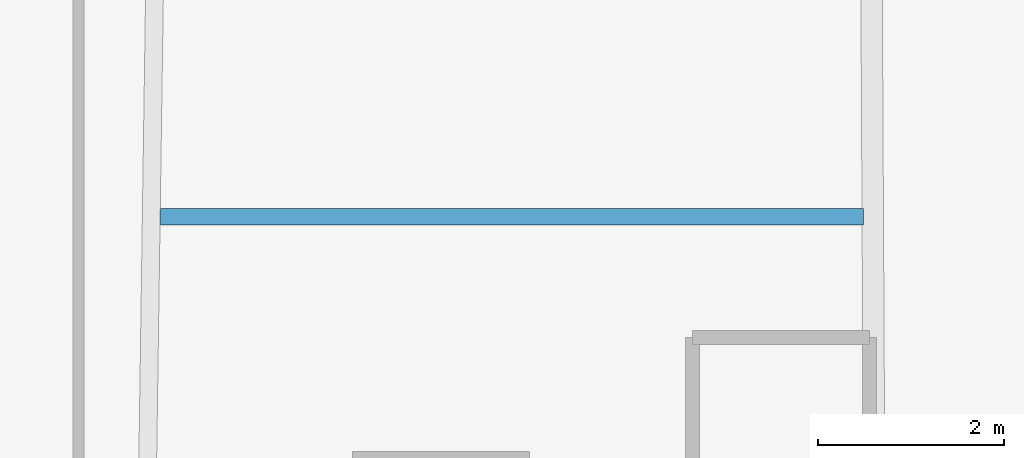
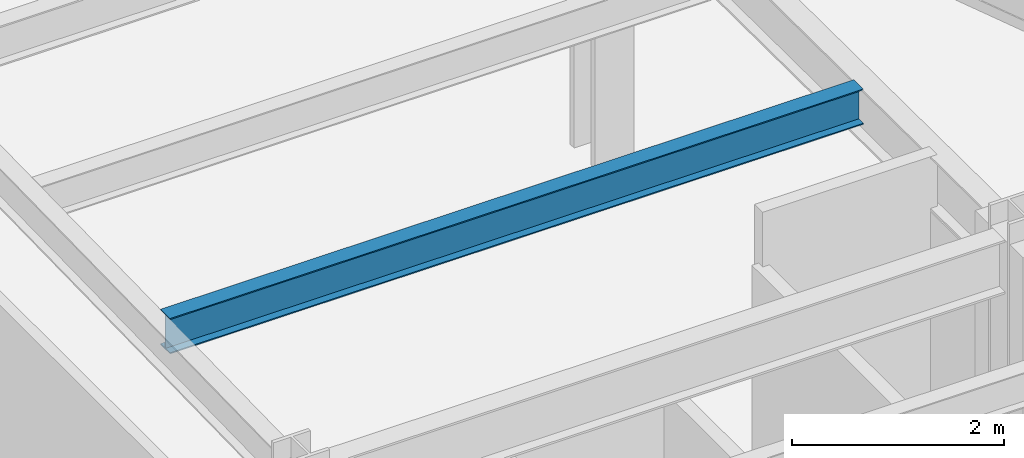
# One storey, part 13 of 30: 1 beam.
"""IFC4 building model written with IfcOpenShell, lengths in metres."""

import ifcopenshell
import ifcopenshell.guid

model = None  # the IFC model being written
_history = None  # IfcOwnerHistory: only IFC2X3 demands one
_inside = {}  # id of a spatial element -> (the spatial element, [elements in it])
_under = {}  # id of a project, library or spatial element -> (it, [spatial elements below it])
_declared = {}  # id of a project -> (the project, [libraries it declares])
_typed = {}  # id of a type object -> (the type object, [elements of that type])
_made_of = {}  # id of a material, layer set ... -> (it, [elements and type objects made of it])


def new_model(schema):
    """Start an empty IFC model of exactly this schema.

    Asked for "IFC4X3", IfcOpenShell would pick the latest addendum, in which some entities
    have other attributes; the version numbers below select the first issue.
    IFC2X3 requires an IfcOwnerHistory on every rooted entity: one is made here for all.
    """
    global model, _history
    if schema == "IFC4X3":
        model = ifcopenshell.file(schema_version=(4, 3, 0, 0))
    else:
        model = ifcopenshell.file(schema=schema)
    _inside.clear()
    _under.clear()
    _declared.clear()
    _typed.clear()
    _made_of.clear()
    _history = None
    if model.schema == "IFC2X3":
        org = make("IfcOrganization", Name="unknown")
        user = make(
            "IfcPersonAndOrganization",
            ThePerson=make("IfcPerson", FamilyName="unknown"),
            TheOrganization=org,
        )
        app = make(
            "IfcApplication",
            ApplicationDeveloper=org,
            Version="unknown",
            ApplicationFullName="unknown",
            ApplicationIdentifier="unknown",
        )
        _history = make(
            "IfcOwnerHistory",
            OwningUser=user,
            OwningApplication=app,
            ChangeAction="ADDED",
            CreationDate=0,
        )
    return model


def make(cls, **values):
    """One entity of the class cls with the attributes given. An attribute that is None is left unset."""
    return model.create_entity(
        cls, **{name: value for name, value in values.items() if value is not None}
    )


def rooted(cls, **values):
    """An entity with a GlobalId (a new one), such as an element, a storey or a relation."""
    return make(cls, GlobalId=ifcopenshell.guid.new(), OwnerHistory=_history, **values)


def si_unit(unit_type, name, prefix=None):
    """IfcSIUnit, for example si_unit("LENGTHUNIT", "METRE", prefix="MILLI")."""
    return make("IfcSIUnit", UnitType=unit_type, Prefix=prefix, Name=name)


def assignment(units):
    """IfcUnitAssignment: the units of a project."""
    return None if units is None else make("IfcUnitAssignment", Units=units)


def point(xyz):
    """IfcCartesianPoint."""
    return None if xyz is None else make("IfcCartesianPoint", Coordinates=xyz)


def direction(xyz):
    """IfcDirection."""
    return None if xyz is None else make("IfcDirection", DirectionRatios=xyz)


def frame(location, z_axis=None, x_axis=None):
    """IfcAxis2Placement3D, a coordinate frame: its origin and axes. An axis left out is left unset."""
    return make(
        "IfcAxis2Placement3D",
        Location=point(location),
        Axis=direction(z_axis),
        RefDirection=direction(x_axis),
    )


def frame_2d(location, x_axis=None):
    """IfcAxis2Placement2D, a coordinate frame in the plane: its origin and x axis."""
    return make(
        "IfcAxis2Placement2D", Location=point(location), RefDirection=direction(x_axis)
    )


def origin():
    """The frame at (0, 0, 0) with its axes left unset."""
    return frame((0.0, 0.0, 0.0))


def origin_2d():
    """The frame at (0, 0) in the plane with its x axis left unset."""
    return frame_2d((0.0, 0.0))


def place(relative_to, where):
    """IfcLocalPlacement: puts the frame where relative to a parent placement (None: the world)."""
    return make(
        "IfcLocalPlacement", PlacementRelTo=relative_to, RelativePlacement=where
    )


def context(
    kind, dimensions, precision=None, world=None, true_north=None, identifier=None
):
    """IfcGeometricRepresentationContext, for example the 3D "Model" context."""
    return make(
        "IfcGeometricRepresentationContext",
        ContextIdentifier=identifier,
        ContextType=kind,
        CoordinateSpaceDimension=dimensions,
        Precision=precision,
        WorldCoordinateSystem=world,
        TrueNorth=true_north,
    )


def subcontext(parent, identifier, kind, view, scale=None):
    """IfcGeometricRepresentationSubContext, for example "Body" below "Model"."""
    return make(
        "IfcGeometricRepresentationSubContext",
        ContextIdentifier=identifier,
        ContextType=kind,
        ParentContext=parent,
        TargetScale=scale,
        TargetView=view,
    )


def project(units=None, contexts=None):
    """IfcProject with its units and contexts."""
    return rooted(
        "IfcProject",
        Name="project",
        RepresentationContexts=contexts,
        UnitsInContext=assignment(units),
    )


def spatial(cls, under=None, at=None, **own):
    """A site, building, storey or space (cls), placed at a placement, below another one or the project."""
    s = rooted(cls, ObjectPlacement=at, **own)
    if under is not None:
        _under.setdefault(under.id(), (under, []))[1].append(s)
    return s


def profile(cls, at=None, kind="AREA", **sizes):
    """A parametric profile (cls). Its sizes go by their IFC names, for example OverallWidth=200.0."""
    return make(cls, ProfileType=kind, Position=at, **sizes)


def i_section(**sizes):
    """IfcIShapeProfileDef."""
    return profile("IfcIShapeProfileDef", **sizes)


def extrude(swept, where, along, depth):
    """IfcExtrudedAreaSolid: the profile swept, set in the frame where, extruded along a direction by depth."""
    return make(
        "IfcExtrudedAreaSolid",
        SweptArea=swept,
        Position=where,
        ExtrudedDirection=direction(along),
        Depth=depth,
    )


def shape(context_of_items, identifier, shape_type, items):
    """IfcShapeRepresentation: the items that make up one representation, for example the "Body"."""
    return make(
        "IfcShapeRepresentation",
        ContextOfItems=context_of_items,
        RepresentationIdentifier=identifier,
        RepresentationType=shape_type,
        Items=items,
    )


def material(Name=None, Category=None):
    """IfcMaterial."""
    return make("IfcMaterial", Name=Name, Category=Category)


def material_profile(
    of_material, cross_section, Name=None, Category=None, Priority=None
):
    """IfcMaterialProfile: a cross section and its material."""
    return make(
        "IfcMaterialProfile",
        Name=Name,
        Material=of_material,
        Profile=cross_section,
        Priority=Priority,
        Category=Category,
    )


def profile_set(profiles, Name=None, composite=None):
    """IfcMaterialProfileSet."""
    return make(
        "IfcMaterialProfileSet",
        Name=Name,
        MaterialProfiles=profiles,
        CompositeProfile=composite,
    )


def made_of(thing, what):
    """Note that an element or type object is made of a material, layer set ...; save() writes the relation."""
    if what is not None:
        _made_of.setdefault(what.id(), (what, []))[1].append(thing)
    return thing


def type_object(cls, material=None, **own):
    """A type object (cls), such as IfcWallType, which elements share."""
    return made_of(rooted(cls, **own), material)


def element(
    cls,
    number,
    at=None,
    inside=None,
    cuts=None,
    type_object=None,
    material=None,
    context=None,
    identifier="Body",
    shape_type=None,
    held_by="IfcProductDefinitionShape",
    body=None,
    shapes=None,
    **own,
):
    """One element of the class cls, such as IfcWall. Its Tag is "e" and its number.

    at: its placement. inside: the storey or other place that contains it. cuts: it is an
    opening in that element (IfcRelVoidsElement). A single representation is given by context,
    identifier, shape_type and body (its items); several are given by shapes. held_by: the class
    of the entity that holds the representations. save() writes the other relations.
    """
    e = rooted(cls, Tag="e%d" % number, ObjectPlacement=at, **own)
    if body is not None:
        shapes = [shape(context, identifier, shape_type, body)]
    if shapes is not None:
        e.Representation = make(held_by, Representations=shapes)
    if inside is not None:
        _inside.setdefault(inside.id(), (inside, []))[1].append(e)
    if cuts is not None:
        rooted(
            "IfcRelVoidsElement", RelatingBuildingElement=cuts, RelatedOpeningElement=e
        )
    if type_object is not None:
        _typed.setdefault(type_object.id(), (type_object, []))[1].append(e)
    return made_of(e, material)


def aggregate(whole, parts):
    """IfcRelAggregates: a whole, such as a stair, and the parts it consists of."""
    return rooted("IfcRelAggregates", RelatingObject=whole, RelatedObjects=parts)


def save(model, path):
    """Write the relations noted so far, then the file.

    IfcRelAggregates (storeys below a building ...), IfcRelContainedInSpatialStructure (elements
    in a storey), IfcRelDefinesByType, IfcRelAssociatesMaterial and IfcRelDeclares: one each for
    every whole, place, type object, material and project.
    """
    for whole, parts in _under.values():
        aggregate(whole, parts)
    for where, things in _inside.values():
        rooted(
            "IfcRelContainedInSpatialStructure",
            RelatedElements=things,
            RelatingStructure=where,
        )
    for kind, things in _typed.values():
        rooted("IfcRelDefinesByType", RelatedObjects=things, RelatingType=kind)
    for what, things in _made_of.values():
        rooted("IfcRelAssociatesMaterial", RelatedObjects=things, RelatingMaterial=what)
    for by, libraries in _declared.values():
        rooted("IfcRelDeclares", RelatingContext=by, RelatedDefinitions=libraries)
    model.write(path)


model = new_model("IFC4")

# Units and contexts
model_context = context("Model", 3, precision=1e-05, world=origin(), true_north=direction((0.0, 1.0)))
body_context = subcontext(model_context, "Body", "Model", "MODEL_VIEW")
ifc_project = project(units=[si_unit("LENGTHUNIT", "METRE"), si_unit("AREAUNIT", "SQUARE_METRE"), si_unit("VOLUMEUNIT", "CUBIC_METRE"), si_unit("PLANEANGLEUNIT", "RADIAN"), si_unit("MASSUNIT", "GRAM", prefix="KILO")], contexts=[model_context])

# Site, building, storey
site_placement = place(None, origin())
site = spatial("IfcSite", under=ifc_project, at=site_placement, CompositionType="ELEMENT")
building_placement = place(site_placement, origin())
building = spatial("IfcBuilding", under=site, at=building_placement, Name="Veymaron Broadcast Tower", CompositionType="ELEMENT")
storey_placement = place(building_placement, frame((0.0, 0.0, 54.0)))
storey = spatial("IfcBuildingStorey", under=building, at=storey_placement, Name="L11", CompositionType="ELEMENT", Elevation=54.0)

# Beam
ifc_material = material(Name="Structural steel ASTM A992 Gr 50", Category="steel")
ifc_material_profile = material_profile(ifc_material, i_section(OverallWidth=0.177978515625, OverallDepth=0.406982421875, WebThickness=0.0078125, FlangeThickness=0.0126953125, at=origin_2d()), Name="W410X60")
ifc_profile_set = profile_set([ifc_material_profile], Name="Structural steel ASTM A992 Gr 50")
beam_type = type_object("IfcBeamType", Name="BM-JS1", PredefinedType="JOIST", material=ifc_profile_set)
beam_placement = place(storey_placement, frame((31.34033203125, 34.793701171875, 3.6064453125), z_axis=(1.0, 0.0, 0.0), x_axis=(0.0, 1.0, 0.0)))
element("IfcBeam", 1, at=beam_placement, inside=storey, type_object=beam_type, Name="L11 Arm-B secondary joist 1", PredefinedType="JOIST", context=body_context, shape_type="SweptSolid", body=[
    extrude(i_section(OverallWidth=0.177978515625, OverallDepth=0.406982421875, WebThickness=0.0078125, FlangeThickness=0.0126953125, at=origin_2d()), origin(), (0.0, 0.0, 1.0), 7.545166015625),
])

save(model, "model.ifc")
